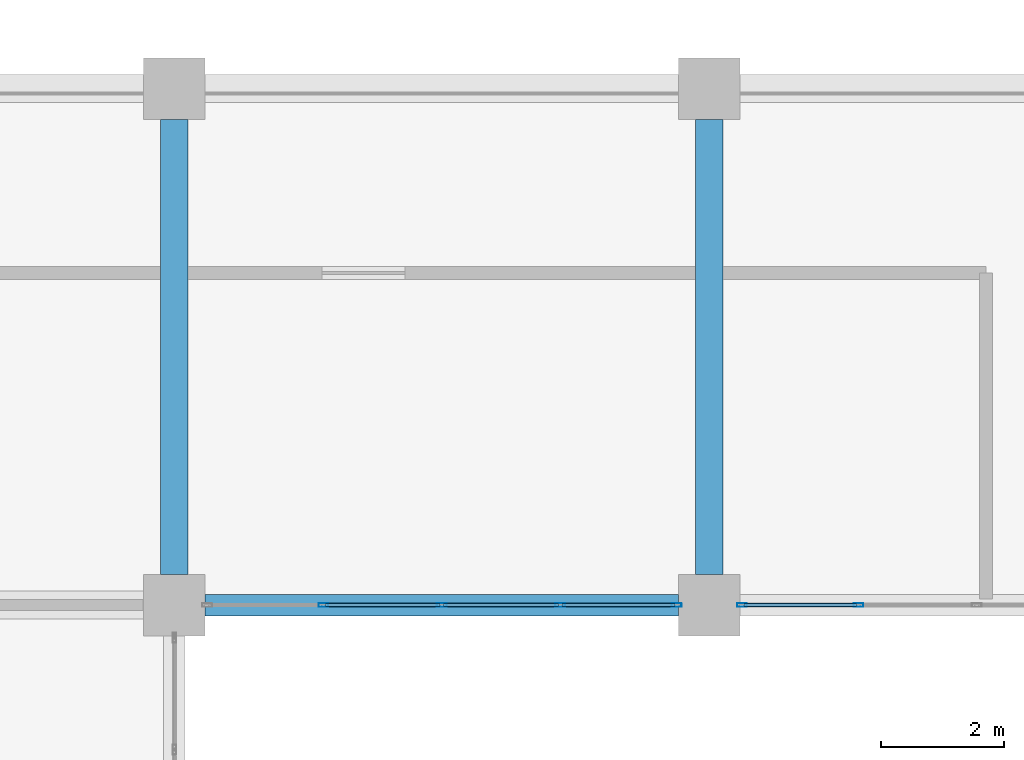
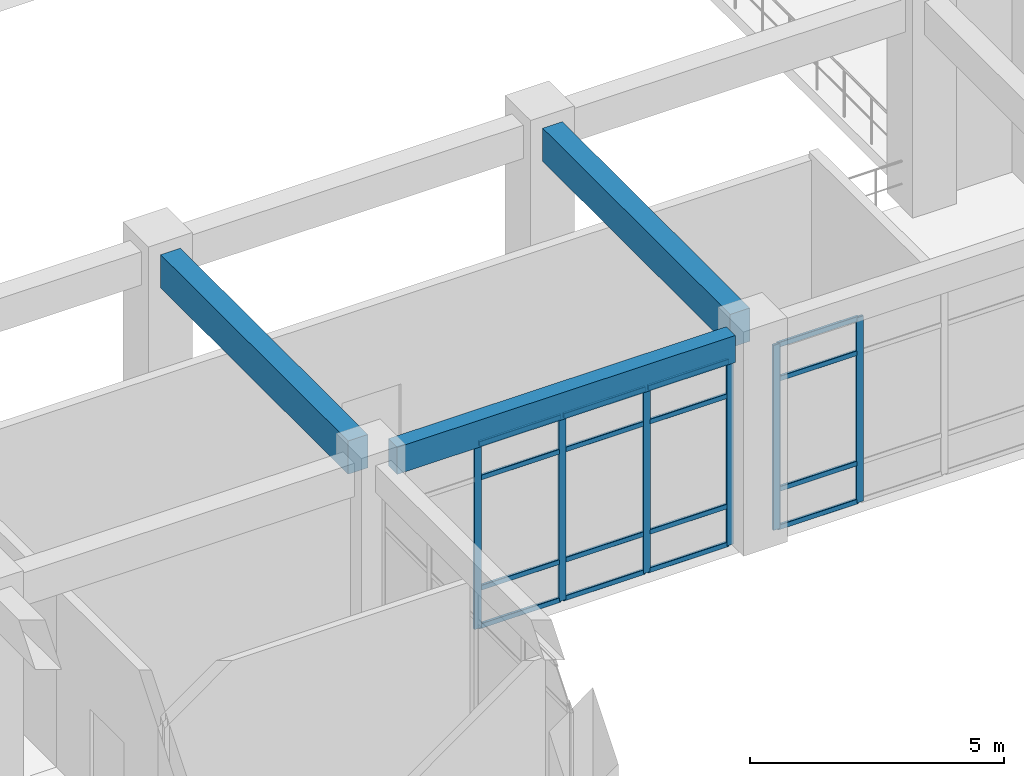
# One storey, part 33 of 114: 22 members, 3 beams, 2 elements without a shape of their own.
"""IFC4 building model written with IfcOpenShell, lengths in metres."""

from ifc_helpers import new_model, si_unit, derived_unit, direction, frame, origin, origin_2d, place, context, subcontext, project, spatial, rectangle, hollow_rectangle, extrude, material, layer, layer_set, material_profile, profile_set, type_object, element, aggregate, save


model = new_model("IFC4")

# Units and contexts
model_context = context("Model", 3, precision=1e-05, world=origin(), true_north=direction((0.0, 1.0)))
body_context = subcontext(model_context, "Body", "Model", "MODEL_VIEW")
ifc_project = project(units=[si_unit("LENGTHUNIT", "METRE"), si_unit("AREAUNIT", "SQUARE_METRE"), si_unit("VOLUMEUNIT", "CUBIC_METRE"), si_unit("PLANEANGLEUNIT", "RADIAN"), si_unit("MASSUNIT", "GRAM", prefix="KILO"), derived_unit("THERMALTRANSMITTANCEUNIT", [(si_unit("MASSUNIT", "GRAM", prefix="KILO"), 1), (si_unit("TIMEUNIT", "SECOND"), -3), (si_unit("THERMODYNAMICTEMPERATUREUNIT", "KELVIN"), -1)])], contexts=[model_context])

# Site, building, storey
site_placement = place(None, origin())
site = spatial("IfcSite", under=ifc_project, at=site_placement, CompositionType="ELEMENT")
building_placement = place(site_placement, origin())
building = spatial("IfcBuilding", under=site, at=building_placement, Name="Qinzheling Arcade Emporium", CompositionType="ELEMENT")
storey_placement = place(building_placement, frame((0.0, 0.0, 6.0)))
storey = spatial("IfcBuildingStorey", under=building, at=storey_placement, Name="L02", CompositionType="ELEMENT", Elevation=6.0)

# Curtain wall, members
ifc_material_1 = material(Name="Anodised aluminium and solar-control double glazing", Category="aluminium")
ifc_layer = layer(ifc_material_1, 0.159912109375, Name="Anodised aluminium and solar-control double glazing", Category="aluminium")
ifc_layer_set = layer_set([ifc_layer], Name="Anodised aluminium and solar-control double glazing")
curtain_wall_type = type_object("IfcCurtainWallType", Name="Atrium Clerestory Curtain Wall", PredefinedType="NOTDEFINED", material=ifc_layer_set)
curtain_wall_1_placement = place(storey_placement, origin())
curtain_wall_1 = element("IfcCurtainWall", 1, at=curtain_wall_1_placement, inside=storey, type_object=curtain_wall_type, Name="Curtain Wall CW-L02-063", PredefinedType="NOTDEFINED")
ifc_material_2 = material(Name="Anodised aluminium 6063-T6", Category="aluminium")
ifc_material_profile_1 = material_profile(ifc_material_2, hollow_rectangle(XDim=0.06005859375, YDim=0.159912109375, WallThickness=0.00390625, InnerFilletRadius=0.00390625, OuterFilletRadius=0.008056640625, at=origin_2d()), Name="RHS 160x60x4", Category="aluminium")
ifc_profile_set_1 = profile_set([ifc_material_profile_1], Name="Anodised aluminium 6063-T6")
member_type_1 = type_object("IfcMemberType", Name="Curtain Wall Mullion RHS160x60", PredefinedType="MULLION", material=ifc_profile_set_1)
member_1_placement = place(storey_placement, frame((80.72607421875, 42.0, 0.0), z_axis=(0.0, 0.0, 1.0), x_axis=(0.0, -1.0, 0.0)))
member_1 = element("IfcMember", 2, at=member_1_placement, type_object=member_type_1, Name="CW03 mullion 4", PredefinedType="MULLION", context=body_context, shape_type="SweptSolid", body=[
    extrude(hollow_rectangle(XDim=0.06005859375, YDim=0.159912109375, WallThickness=0.00390625, InnerFilletRadius=0.00390625, OuterFilletRadius=0.008056640625, at=origin_2d()), origin(), (0.0, 0.0, 1.0), 4.455078125),
])
member_2_placement = place(storey_placement, frame((78.83203125, 42.0, 0.0), z_axis=(0.0, 0.0, 1.0), x_axis=(0.0, -1.0, 0.0)))
member_2 = element("IfcMember", 3, at=member_2_placement, type_object=member_type_1, Name="CW03 mullion 5", PredefinedType="MULLION", context=body_context, shape_type="SweptSolid", body=[
    extrude(hollow_rectangle(XDim=0.06005859375, YDim=0.159912109375, WallThickness=0.00390625, InnerFilletRadius=0.00390625, OuterFilletRadius=0.008056640625, at=origin_2d()), origin(), (0.0, 0.0, 1.0), 4.455078125),
])

curtain_wall_2_placement = place(storey_placement, origin())
curtain_wall_2 = element("IfcCurtainWall", 4, at=curtain_wall_2_placement, inside=storey, type_object=curtain_wall_type, Name="Curtain Wall CW-L02-064", PredefinedType="NOTDEFINED")
member_3_placement = place(storey_placement, frame((77.76806640625, 42.0, 0.0), z_axis=(0.0, 0.0, 1.0), x_axis=(0.0, -1.0, 0.0)))
member_3 = element("IfcMember", 5, at=member_3_placement, type_object=member_type_1, Name="CW03 mullion 1", PredefinedType="MULLION", context=body_context, shape_type="SweptSolid", body=[
    extrude(hollow_rectangle(XDim=0.06005859375, YDim=0.159912109375, WallThickness=0.00390625, InnerFilletRadius=0.00390625, OuterFilletRadius=0.008056640625, at=origin_2d()), origin(), (0.0, 0.0, 1.0), 4.455078125),
])
member_4_placement = place(storey_placement, frame((75.8740234375, 42.0, 0.0), z_axis=(0.0, 0.0, 1.0), x_axis=(0.0, -1.0, 0.0)))
member_4 = element("IfcMember", 6, at=member_4_placement, type_object=member_type_1, Name="CW03 mullion 2", PredefinedType="MULLION", context=body_context, shape_type="SweptSolid", body=[
    extrude(hollow_rectangle(XDim=0.06005859375, YDim=0.159912109375, WallThickness=0.00390625, InnerFilletRadius=0.00390625, OuterFilletRadius=0.008056640625, at=origin_2d()), origin(), (0.0, 0.0, 1.0), 4.455078125),
])
member_5_placement = place(storey_placement, frame((73.949951171875, 42.0, 0.0), z_axis=(0.0, 0.0, 1.0), x_axis=(0.0, -1.0, 0.0)))
member_5 = element("IfcMember", 7, at=member_5_placement, type_object=member_type_1, Name="CW03 mullion 3", PredefinedType="MULLION", context=body_context, shape_type="SweptSolid", body=[
    extrude(hollow_rectangle(XDim=0.06005859375, YDim=0.159912109375, WallThickness=0.00390625, InnerFilletRadius=0.00390625, OuterFilletRadius=0.008056640625, at=origin_2d()), origin(), (0.0, 0.0, 1.0), 4.455078125),
])
member_6_placement = place(storey_placement, frame((72.02587890625, 42.0, 0.0), z_axis=(0.0, 0.0, 1.0), x_axis=(0.0, -1.0, 0.0)))
member_6 = element("IfcMember", 8, at=member_6_placement, type_object=member_type_1, Name="CW03 mullion 4", PredefinedType="MULLION", context=body_context, shape_type="SweptSolid", body=[
    extrude(hollow_rectangle(XDim=0.06005859375, YDim=0.159912109375, WallThickness=0.00390625, InnerFilletRadius=0.00390625, OuterFilletRadius=0.008056640625, at=origin_2d()), origin(), (0.0, 0.0, 1.0), 4.455078125),
])

# Member
ifc_material_profile_2 = material_profile(ifc_material_2, hollow_rectangle(XDim=0.06005859375, YDim=0.1201171875, WallThickness=0.00390625, InnerFilletRadius=0.00390625, OuterFilletRadius=0.008056640625, at=origin_2d()), Name="RHS 120x60x4", Category="aluminium")
ifc_profile_set_2 = profile_set([ifc_material_profile_2], Name="Anodised aluminium 6063-T6")
member_type_2 = type_object("IfcMemberType", Name="Curtain Wall Transom RHS120x60", PredefinedType="USERDEFINED", material=ifc_profile_set_2)
member_7_placement = place(storey_placement, frame((80.696044921875, 42.0, 0.030029296875), z_axis=(-1.0, 0.0, 0.0), x_axis=(0.0, -1.0, 0.0)))
member_7 = element("IfcMember", 9, at=member_7_placement, type_object=member_type_2, Name="CW03 transom 4.1", ObjectType="TRANSOM", PredefinedType="USERDEFINED", context=body_context, shape_type="SweptSolid", body=[
    extrude(hollow_rectangle(XDim=0.06005859375, YDim=0.1201171875, WallThickness=0.00390625, InnerFilletRadius=0.00390625, OuterFilletRadius=0.008056640625, at=origin_2d()), origin(), (0.0, 0.0, 1.0), 1.833984375),
])

member_8_placement = place(storey_placement, frame((80.696044921875, 42.0, 0.949951171875), z_axis=(-1.0, 0.0, 0.0), x_axis=(0.0, -1.0, 0.0)))
member_8 = element("IfcMember", 10, at=member_8_placement, type_object=member_type_2, Name="CW03 transom 4.2", ObjectType="TRANSOM", PredefinedType="USERDEFINED", context=body_context, shape_type="SweptSolid", body=[
    extrude(hollow_rectangle(XDim=0.06005859375, YDim=0.1201171875, WallThickness=0.00390625, InnerFilletRadius=0.00390625, OuterFilletRadius=0.008056640625, at=origin_2d()), origin(), (0.0, 0.0, 1.0), 1.833984375),
])

member_9_placement = place(storey_placement, frame((80.696044921875, 42.0, 3.60498046875), z_axis=(-1.0, 0.0, 0.0), x_axis=(0.0, -1.0, 0.0)))
member_9 = element("IfcMember", 11, at=member_9_placement, type_object=member_type_2, Name="CW03 transom 4.3", ObjectType="TRANSOM", PredefinedType="USERDEFINED", context=body_context, shape_type="SweptSolid", body=[
    extrude(hollow_rectangle(XDim=0.06005859375, YDim=0.1201171875, WallThickness=0.00390625, InnerFilletRadius=0.00390625, OuterFilletRadius=0.008056640625, at=origin_2d()), origin(), (0.0, 0.0, 1.0), 1.833984375),
])

member_10_placement = place(storey_placement, frame((80.696044921875, 42.0, 4.425048828125), z_axis=(-1.0, 0.0, 0.0), x_axis=(0.0, -1.0, 0.0)))
member_10 = element("IfcMember", 12, at=member_10_placement, type_object=member_type_2, Name="CW03 transom 4.4", ObjectType="TRANSOM", PredefinedType="USERDEFINED", context=body_context, shape_type="SweptSolid", body=[
    extrude(hollow_rectangle(XDim=0.06005859375, YDim=0.1201171875, WallThickness=0.00390625, InnerFilletRadius=0.00390625, OuterFilletRadius=0.008056640625, at=origin_2d()), origin(), (0.0, 0.0, 1.0), 1.833984375),
])

aggregate(curtain_wall_1, [member_1, member_2, member_7, member_8, member_9, member_10])

member_11_placement = place(storey_placement, frame((77.738037109375, 42.0, 0.030029296875), z_axis=(-1.0, 0.0, 0.0), x_axis=(0.0, -1.0, 0.0)))
member_11 = element("IfcMember", 13, at=member_11_placement, type_object=member_type_2, Name="CW03 transom 1.1", ObjectType="TRANSOM", PredefinedType="USERDEFINED", context=body_context, shape_type="SweptSolid", body=[
    extrude(hollow_rectangle(XDim=0.06005859375, YDim=0.1201171875, WallThickness=0.00390625, InnerFilletRadius=0.00390625, OuterFilletRadius=0.008056640625, at=origin_2d()), origin(), (0.0, 0.0, 1.0), 1.833984375),
])

member_12_placement = place(storey_placement, frame((77.738037109375, 42.0, 0.949951171875), z_axis=(-1.0, 0.0, 0.0), x_axis=(0.0, -1.0, 0.0)))
member_12 = element("IfcMember", 14, at=member_12_placement, type_object=member_type_2, Name="CW03 transom 1.2", ObjectType="TRANSOM", PredefinedType="USERDEFINED", context=body_context, shape_type="SweptSolid", body=[
    extrude(hollow_rectangle(XDim=0.06005859375, YDim=0.1201171875, WallThickness=0.00390625, InnerFilletRadius=0.00390625, OuterFilletRadius=0.008056640625, at=origin_2d()), origin(), (0.0, 0.0, 1.0), 1.833984375),
])

member_13_placement = place(storey_placement, frame((77.738037109375, 42.0, 3.60498046875), z_axis=(-1.0, 0.0, 0.0), x_axis=(0.0, -1.0, 0.0)))
member_13 = element("IfcMember", 15, at=member_13_placement, type_object=member_type_2, Name="CW03 transom 1.3", ObjectType="TRANSOM", PredefinedType="USERDEFINED", context=body_context, shape_type="SweptSolid", body=[
    extrude(hollow_rectangle(XDim=0.06005859375, YDim=0.1201171875, WallThickness=0.00390625, InnerFilletRadius=0.00390625, OuterFilletRadius=0.008056640625, at=origin_2d()), origin(), (0.0, 0.0, 1.0), 1.833984375),
])

member_14_placement = place(storey_placement, frame((77.738037109375, 42.0, 4.425048828125), z_axis=(-1.0, 0.0, 0.0), x_axis=(0.0, -1.0, 0.0)))
member_14 = element("IfcMember", 16, at=member_14_placement, type_object=member_type_2, Name="CW03 transom 1.4", ObjectType="TRANSOM", PredefinedType="USERDEFINED", context=body_context, shape_type="SweptSolid", body=[
    extrude(hollow_rectangle(XDim=0.06005859375, YDim=0.1201171875, WallThickness=0.00390625, InnerFilletRadius=0.00390625, OuterFilletRadius=0.008056640625, at=origin_2d()), origin(), (0.0, 0.0, 1.0), 1.833984375),
])

member_15_placement = place(storey_placement, frame((75.843994140625, 42.0, 0.030029296875), z_axis=(-1.0, 0.0, 0.0), x_axis=(0.0, -1.0, 0.0)))
member_15 = element("IfcMember", 17, at=member_15_placement, type_object=member_type_2, Name="CW03 transom 2.1", ObjectType="TRANSOM", PredefinedType="USERDEFINED", context=body_context, shape_type="SweptSolid", body=[
    extrude(hollow_rectangle(XDim=0.06005859375, YDim=0.1201171875, WallThickness=0.00390625, InnerFilletRadius=0.00390625, OuterFilletRadius=0.008056640625, at=origin_2d()), origin(), (0.0, 0.0, 1.0), 1.864013671875),
])

member_16_placement = place(storey_placement, frame((75.843994140625, 42.0, 0.949951171875), z_axis=(-1.0, 0.0, 0.0), x_axis=(0.0, -1.0, 0.0)))
member_16 = element("IfcMember", 18, at=member_16_placement, type_object=member_type_2, Name="CW03 transom 2.2", ObjectType="TRANSOM", PredefinedType="USERDEFINED", context=body_context, shape_type="SweptSolid", body=[
    extrude(hollow_rectangle(XDim=0.06005859375, YDim=0.1201171875, WallThickness=0.00390625, InnerFilletRadius=0.00390625, OuterFilletRadius=0.008056640625, at=origin_2d()), origin(), (0.0, 0.0, 1.0), 1.864013671875),
])

member_17_placement = place(storey_placement, frame((75.843994140625, 42.0, 3.60498046875), z_axis=(-1.0, 0.0, 0.0), x_axis=(0.0, -1.0, 0.0)))
member_17 = element("IfcMember", 19, at=member_17_placement, type_object=member_type_2, Name="CW03 transom 2.3", ObjectType="TRANSOM", PredefinedType="USERDEFINED", context=body_context, shape_type="SweptSolid", body=[
    extrude(hollow_rectangle(XDim=0.06005859375, YDim=0.1201171875, WallThickness=0.00390625, InnerFilletRadius=0.00390625, OuterFilletRadius=0.008056640625, at=origin_2d()), origin(), (0.0, 0.0, 1.0), 1.864013671875),
])

member_18_placement = place(storey_placement, frame((75.843994140625, 42.0, 4.425048828125), z_axis=(-1.0, 0.0, 0.0), x_axis=(0.0, -1.0, 0.0)))
member_18 = element("IfcMember", 20, at=member_18_placement, type_object=member_type_2, Name="CW03 transom 2.4", ObjectType="TRANSOM", PredefinedType="USERDEFINED", context=body_context, shape_type="SweptSolid", body=[
    extrude(hollow_rectangle(XDim=0.06005859375, YDim=0.1201171875, WallThickness=0.00390625, InnerFilletRadius=0.00390625, OuterFilletRadius=0.008056640625, at=origin_2d()), origin(), (0.0, 0.0, 1.0), 1.864013671875),
])

member_19_placement = place(storey_placement, frame((73.919921875, 42.0, 0.030029296875), z_axis=(-1.0, 0.0, 0.0), x_axis=(0.0, -1.0, 0.0)))
member_19 = element("IfcMember", 21, at=member_19_placement, type_object=member_type_2, Name="CW03 transom 3.1", ObjectType="TRANSOM", PredefinedType="USERDEFINED", context=body_context, shape_type="SweptSolid", body=[
    extrude(hollow_rectangle(XDim=0.06005859375, YDim=0.1201171875, WallThickness=0.00390625, InnerFilletRadius=0.00390625, OuterFilletRadius=0.008056640625, at=origin_2d()), origin(), (0.0, 0.0, 1.0), 1.864013671875),
])

member_20_placement = place(storey_placement, frame((73.919921875, 42.0, 0.949951171875), z_axis=(-1.0, 0.0, 0.0), x_axis=(0.0, -1.0, 0.0)))
member_20 = element("IfcMember", 22, at=member_20_placement, type_object=member_type_2, Name="CW03 transom 3.2", ObjectType="TRANSOM", PredefinedType="USERDEFINED", context=body_context, shape_type="SweptSolid", body=[
    extrude(hollow_rectangle(XDim=0.06005859375, YDim=0.1201171875, WallThickness=0.00390625, InnerFilletRadius=0.00390625, OuterFilletRadius=0.008056640625, at=origin_2d()), origin(), (0.0, 0.0, 1.0), 1.864013671875),
])

member_21_placement = place(storey_placement, frame((73.919921875, 42.0, 3.60498046875), z_axis=(-1.0, 0.0, 0.0), x_axis=(0.0, -1.0, 0.0)))
member_21 = element("IfcMember", 23, at=member_21_placement, type_object=member_type_2, Name="CW03 transom 3.3", ObjectType="TRANSOM", PredefinedType="USERDEFINED", context=body_context, shape_type="SweptSolid", body=[
    extrude(hollow_rectangle(XDim=0.06005859375, YDim=0.1201171875, WallThickness=0.00390625, InnerFilletRadius=0.00390625, OuterFilletRadius=0.008056640625, at=origin_2d()), origin(), (0.0, 0.0, 1.0), 1.864013671875),
])

member_22_placement = place(storey_placement, frame((73.919921875, 42.0, 4.425048828125), z_axis=(-1.0, 0.0, 0.0), x_axis=(0.0, -1.0, 0.0)))
member_22 = element("IfcMember", 24, at=member_22_placement, type_object=member_type_2, Name="CW03 transom 3.4", ObjectType="TRANSOM", PredefinedType="USERDEFINED", context=body_context, shape_type="SweptSolid", body=[
    extrude(hollow_rectangle(XDim=0.06005859375, YDim=0.1201171875, WallThickness=0.00390625, InnerFilletRadius=0.00390625, OuterFilletRadius=0.008056640625, at=origin_2d()), origin(), (0.0, 0.0, 1.0), 1.864013671875),
])

aggregate(curtain_wall_2, [member_3, member_4, member_5, member_6, member_11, member_12, member_13, member_14, member_15, member_16, member_17, member_18, member_19, member_20, member_21, member_22])

# Beams
ifc_material_3 = material(Name="Concrete C40", Category="concrete")
ifc_material_profile_3 = material_profile(ifc_material_3, rectangle(XDim=0.449951171875, YDim=0.800048828125, at=origin_2d()), Name="RC 450x800", Category="concrete")
ifc_profile_set_3 = profile_set([ifc_material_profile_3], Name="Concrete C40")
beam_type_1 = type_object("IfcBeamType", Name="RC Primary Frame Beam 450x800 C40", PredefinedType="BEAM", material=ifc_profile_set_3)
for number, where, z_axis, x_axis, name in (
    (25, (69.60009765625, 42.5, 4.719970703125), (0.0, 1.0, 0.0), (-1.0, 0.0, 0.0), "Beam BM-L02-Y-9-F"),
    (26, (78.300048828125, 42.5, 4.719970703125), (0.0, 1.0, 0.0), (-1.0, 0.0, 0.0), "Beam BM-L02-Y-10-F"),
):
    element("IfcBeam", number, at=place(storey_placement, frame(where, z_axis=z_axis, x_axis=x_axis)), inside=storey, type_object=beam_type_1, Name=name, PredefinedType="BEAM", context=body_context, shape_type="SweptSolid", body=[
        extrude(rectangle(XDim=0.449951171875, YDim=0.800048828125, at=origin_2d()), origin(), (0.0, 0.0, 1.0), 7.39990234375),
    ])
ifc_material_profile_4 = material_profile(ifc_material_3, rectangle(XDim=0.35009765625, YDim=0.64990234375, at=origin_2d()), Name="RC 350x650", Category="concrete")
ifc_profile_set_4 = profile_set([ifc_material_profile_4], Name="Concrete C40")
beam_type_2 = type_object("IfcBeamType", Name="RC Spandrel Edge Beam 350x650 C40", PredefinedType="SPANDREL", material=ifc_profile_set_4)
beam_placement = place(storey_placement, frame((70.10009765625, 42.0, 4.794921875), z_axis=(1.0, 0.0, 0.0), x_axis=(0.0, 1.0, 0.0)))
element("IfcBeam", 27, at=beam_placement, inside=storey, type_object=beam_type_2, Name="Beam BM-L02-X-F-9", PredefinedType="SPANDREL", context=body_context, shape_type="SweptSolid", body=[
    extrude(rectangle(XDim=0.35009765625, YDim=0.64990234375, at=origin_2d()), origin(), (0.0, 0.0, 1.0), 7.699951171875),
])

save(model, "model.ifc")
